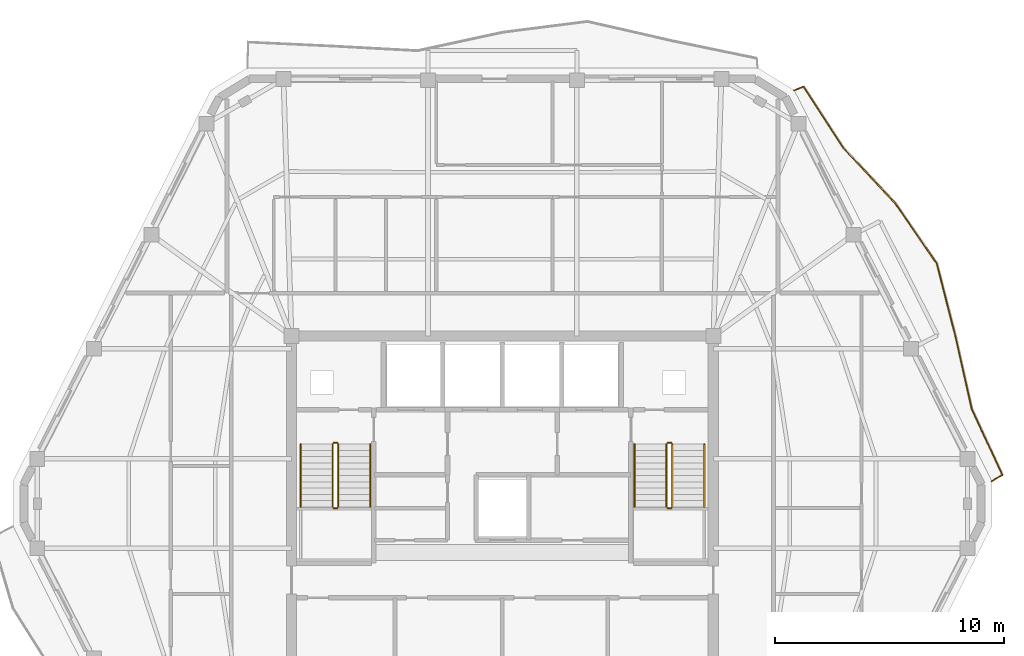
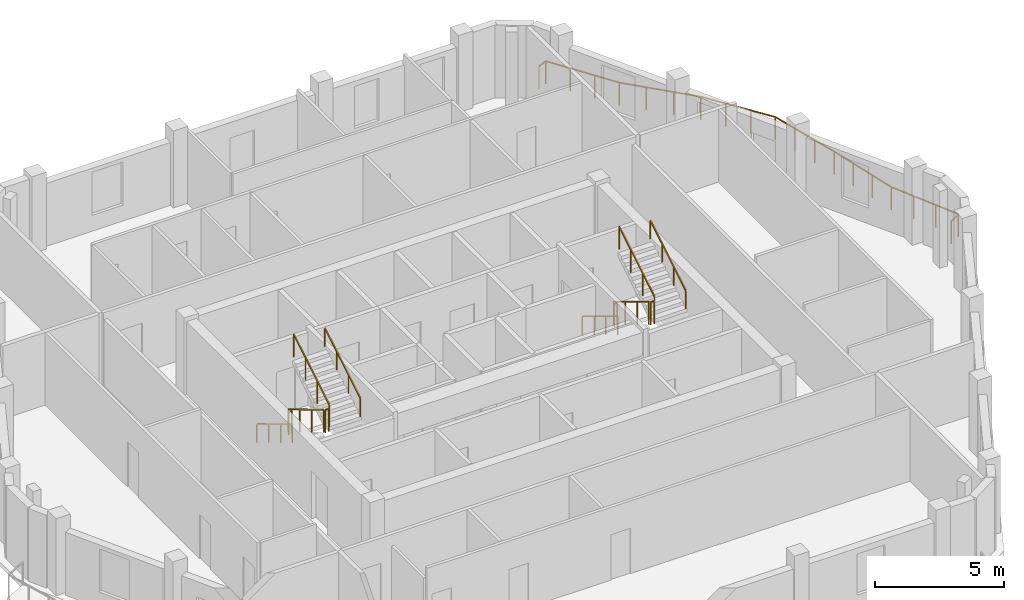
# One storey, part 9 of 10: 13 railings.
"""IFC4 building model written with IfcOpenShell, lengths in metres."""

from ifc_helpers import new_model, si_unit, direction, frame, origin, origin_2d, place, context, subcontext, project, spatial, rectangle, extrude, material, type_object, element, save


model = new_model("IFC4")

# Units and contexts
model_context = context("Model", 3, precision=1e-05, world=origin(), true_north=direction((0.0, 1.0)))
body_context = subcontext(model_context, "Body", "Model", "MODEL_VIEW")
ifc_project = project(units=[si_unit("LENGTHUNIT", "METRE"), si_unit("AREAUNIT", "SQUARE_METRE"), si_unit("VOLUMEUNIT", "CUBIC_METRE"), si_unit("PLANEANGLEUNIT", "RADIAN"), si_unit("MASSUNIT", "GRAM", prefix="KILO")], contexts=[model_context])

# Site, building, storey
site_placement = place(None, origin())
site = spatial("IfcSite", under=ifc_project, at=site_placement, CompositionType="ELEMENT")
building_placement = place(site_placement, origin())
building = spatial("IfcBuilding", under=site, at=building_placement, Name="Cinnabar Lancet Tower", CompositionType="ELEMENT")
storey_placement = place(building_placement, frame((0.0, 0.0, 267.14990234375)))
storey = spatial("IfcBuildingStorey", under=building, at=storey_placement, Name="L71", CompositionType="ELEMENT", Elevation=267.14990234375)

# Railings
ifc_material_1 = material(Name="Laminated safety glass and bronze stainless steel balustrade", Category="steel")
railing_type_1 = type_object("IfcRailingType", Name="ENV-RLG-BAL-1100", PredefinedType="BALUSTRADE", material=ifc_material_1)
railing_1_placement = place(storey_placement, frame((53.802978515625, 26.781982421875, 0.0)))
element("IfcRailing", 1, at=railing_1_placement, inside=storey, type_object=railing_type_1, Name="L71 Face 3 Wave Balcony Balustrade", PredefinedType="BALUSTRADE", context=body_context, shape_type="SweptSolid", body=[
    extrude(rectangle(XDim=0.048095703125, YDim=0.048095703125, at=origin_2d()), frame((0.0, 0.0, 1.076171875), z_axis=(0.866906303058, 0.498471124258, 0.0), x_axis=(-0.498471124258, 0.866906303058, 0.0)), (0.0, 0.0, 1.0), 0.529541015625),
    extrude(rectangle(XDim=0.048095703125, YDim=0.048095703125, at=origin_2d()), frame((0.458984375, 0.263916015625, 1.076171875), z_axis=(-0.420944533295, 0.907086379508, 0.0), x_axis=(-0.907086379508, -0.420944533295, 0.0)), (0.0, 0.0, 1.0), 3.182861328125),
    extrude(rectangle(XDim=0.048095703125, YDim=0.048095703125, at=origin_2d()), frame((-0.880859375, 3.151123046875, 1.076171875), z_axis=(-0.219230634445, 0.975673064567, 0.0), x_axis=(-0.975673064567, -0.219230634445, 0.0)), (0.0, 0.0, 1.0), 3.28076171875),
    extrude(rectangle(XDim=0.048095703125, YDim=0.048095703125, at=origin_2d()), frame((-1.60009765625, 6.35205078125, 1.076171875), z_axis=(-0.248333871453, 0.968674500691, 0.0), x_axis=(-0.968674500691, -0.248333871453, 0.0)), (0.0, 0.0, 1.0), 3.257080078125),
    extrude(rectangle(XDim=0.048095703125, YDim=0.048095703125, at=origin_2d()), frame((-2.408935546875, 9.507080078125, 1.076171875), z_axis=(-0.567603206786, 0.823302252909, 0.0), x_axis=(-0.823302252909, -0.567603206786, 0.0)), (0.0, 0.0, 1.0), 3.2099609375),
    extrude(rectangle(XDim=0.048095703125, YDim=0.048095703125, at=origin_2d()), frame((-4.23095703125, 12.14990234375, 1.076171875), z_axis=(-0.684090596793, 0.729397049198, 0.0), x_axis=(-0.729397049198, -0.684090596793, 0.0)), (0.0, 0.0, 1.0), 3.31396484375),
    extrude(rectangle(XDim=0.048095703125, YDim=0.048095703125, at=origin_2d()), frame((-6.498046875, 14.567138671875, 1.076171875), z_axis=(-0.543934246288, 0.839127842296, 0.0), x_axis=(-0.839127842296, -0.543934246288, 0.0)), (0.0, 0.0, 1.0), 3.20068359375),
    extrude(rectangle(XDim=0.048095703125, YDim=0.048095703125, at=origin_2d()), frame((-8.239013671875, 17.2529296875, 1.076171875), z_axis=(-0.923853136968, -0.382747150628, 0.0), x_axis=(0.382747150628, -0.923853136968, 0.0)), (0.0, 0.0, 1.0), 0.436279296875),
    extrude(rectangle(XDim=0.0419921875, YDim=0.0419921875, at=origin_2d()), origin(), (0.0, 0.0, 1.0), 1.052001953125),
    extrude(rectangle(XDim=0.0419921875, YDim=0.0419921875, at=origin_2d()), frame((0.458984375, 0.263916015625, 0.0)), (0.0, 0.0, 1.0), 1.052001953125),
    extrude(rectangle(XDim=0.0419921875, YDim=0.0419921875, at=origin_2d()), frame((0.012451171875, 1.226318359375, 0.0)), (0.0, 0.0, 1.0), 1.052001953125),
    extrude(rectangle(XDim=0.0419921875, YDim=0.0419921875, at=origin_2d()), frame((-0.434326171875, 2.188720703125, 0.0)), (0.0, 0.0, 1.0), 1.052001953125),
    extrude(rectangle(XDim=0.0419921875, YDim=0.0419921875, at=origin_2d()), frame((-0.880859375, 3.151123046875, 0.0)), (0.0, 0.0, 1.0), 1.052001953125),
    extrude(rectangle(XDim=0.0419921875, YDim=0.0419921875, at=origin_2d()), frame((-1.12060546875, 4.218017578125, 0.0)), (0.0, 0.0, 1.0), 1.052001953125),
    extrude(rectangle(XDim=0.0419921875, YDim=0.0419921875, at=origin_2d()), frame((-1.3603515625, 5.28515625, 0.0)), (0.0, 0.0, 1.0), 1.052001953125),
    extrude(rectangle(XDim=0.0419921875, YDim=0.0419921875, at=origin_2d()), frame((-1.60009765625, 6.35205078125, 0.0)), (0.0, 0.0, 1.0), 1.052001953125),
    extrude(rectangle(XDim=0.0419921875, YDim=0.0419921875, at=origin_2d()), frame((-1.86962890625, 7.40380859375, 0.0)), (0.0, 0.0, 1.0), 1.052001953125),
    extrude(rectangle(XDim=0.0419921875, YDim=0.0419921875, at=origin_2d()), frame((-2.139404296875, 8.455322265625, 0.0)), (0.0, 0.0, 1.0), 1.052001953125),
    extrude(rectangle(XDim=0.0419921875, YDim=0.0419921875, at=origin_2d()), frame((-2.408935546875, 9.507080078125, 0.0)), (0.0, 0.0, 1.0), 1.052001953125),
    extrude(rectangle(XDim=0.0419921875, YDim=0.0419921875, at=origin_2d()), frame((-3.016357421875, 10.387939453125, 0.0)), (0.0, 0.0, 1.0), 1.052001953125),
    extrude(rectangle(XDim=0.0419921875, YDim=0.0419921875, at=origin_2d()), frame((-3.62353515625, 11.26904296875, 0.0)), (0.0, 0.0, 1.0), 1.052001953125),
    extrude(rectangle(XDim=0.0419921875, YDim=0.0419921875, at=origin_2d()), frame((-4.23095703125, 12.14990234375, 0.0)), (0.0, 0.0, 1.0), 1.052001953125),
    extrude(rectangle(XDim=0.0419921875, YDim=0.0419921875, at=origin_2d()), frame((-4.986572265625, 12.95556640625, 0.0)), (0.0, 0.0, 1.0), 1.052001953125),
    extrude(rectangle(XDim=0.0419921875, YDim=0.0419921875, at=origin_2d()), frame((-5.742431640625, 13.761474609375, 0.0)), (0.0, 0.0, 1.0), 1.052001953125),
    extrude(rectangle(XDim=0.0419921875, YDim=0.0419921875, at=origin_2d()), frame((-6.498046875, 14.567138671875, 0.0)), (0.0, 0.0, 1.0), 1.052001953125),
    extrude(rectangle(XDim=0.0419921875, YDim=0.0419921875, at=origin_2d()), frame((-7.078369140625, 15.46240234375, 0.0)), (0.0, 0.0, 1.0), 1.052001953125),
    extrude(rectangle(XDim=0.0419921875, YDim=0.0419921875, at=origin_2d()), frame((-7.65869140625, 16.357666015625, 0.0)), (0.0, 0.0, 1.0), 1.052001953125),
    extrude(rectangle(XDim=0.0419921875, YDim=0.0419921875, at=origin_2d()), frame((-8.239013671875, 17.2529296875, 0.0)), (0.0, 0.0, 1.0), 1.052001953125),
    extrude(rectangle(XDim=0.0419921875, YDim=0.0419921875, at=origin_2d()), frame((-8.64208984375, 17.0859375, 0.0)), (0.0, 0.0, 1.0), 1.052001953125),
])
ifc_material_2 = material(Name="Painted galvanized steel balustrade", Category="steel")
railing_type_2 = type_object("IfcRailingType", Name="GUARD-STAIR", PredefinedType="GUARDRAIL", material=ifc_material_2)
railing_2_placement = place(storey_placement, frame((24.97509765625, 28.39990234375, 0.166015625)))
element("IfcRailing", 2, at=railing_2_placement, inside=storey, type_object=railing_type_2, Name="L71 ST-1 stair guard 1", PredefinedType="GUARDRAIL", context=body_context, shape_type="SweptSolid", body=[
    extrude(rectangle(XDim=0.048095703125, YDim=0.048095703125, at=origin_2d()), frame((0.0, 0.0, 1.076171875), z_axis=(0.0, -0.856229400918, 0.51659579267), x_axis=(1.0, 0.0, 0.0)), (0.0, 0.0, 1.0), 3.211669921875),
    extrude(rectangle(XDim=0.0419921875, YDim=0.0419921875, at=origin_2d()), origin(), (0.0, 0.0, 1.0), 1.052001953125),
    extrude(rectangle(XDim=0.0419921875, YDim=0.0419921875, at=origin_2d()), frame((0.0, -0.916748046875, 0.552978515625)), (0.0, 0.0, 1.0), 1.052001953125),
    extrude(rectangle(XDim=0.0419921875, YDim=0.0419921875, at=origin_2d()), frame((0.0, -1.833251953125, 1.106201171875)), (0.0, 0.0, 1.0), 1.052001953125),
    extrude(rectangle(XDim=0.0419921875, YDim=0.0419921875, at=origin_2d()), frame((0.0, -2.75, 1.6591796875)), (0.0, 0.0, 1.0), 1.052001953125),
])
railing_3_placement = place(storey_placement, frame((25.02490234375, 25.60009765625, 1.8251953125)))
element("IfcRailing", 3, at=railing_3_placement, inside=storey, type_object=railing_type_2, Name="L71 ST-1 stair guard 2", PredefinedType="GUARDRAIL", context=body_context, shape_type="SweptSolid", body=[
    extrude(rectangle(XDim=0.048095703125, YDim=0.048095703125, at=origin_2d()), frame((0.0, 0.0, 1.076171875), z_axis=(1.0, 0.0, 0.0), x_axis=(0.0, 1.0, 0.0)), (0.0, 0.0, 1.0), 0.150146484375),
    extrude(rectangle(XDim=0.0419921875, YDim=0.0419921875, at=origin_2d()), origin(), (0.0, 0.0, 1.0), 1.052001953125),
    extrude(rectangle(XDim=0.0419921875, YDim=0.0419921875, at=origin_2d()), frame((0.150146484375, 0.0, 0.0)), (0.0, 0.0, 1.0), 1.052001953125),
])
railing_4_placement = place(storey_placement, frame((25.22509765625, 25.64990234375, 1.990966796875)))
element("IfcRailing", 4, at=railing_4_placement, inside=storey, type_object=railing_type_2, Name="L71 ST-1 stair guard 3", PredefinedType="GUARDRAIL", context=body_context, shape_type="SweptSolid", body=[
    extrude(rectangle(XDim=0.048095703125, YDim=0.048095703125, at=origin_2d()), frame((0.0, 0.0, 1.076171875), z_axis=(0.0, 0.856229400918, 0.51659579267), x_axis=(-1.0, 0.0, 0.0)), (0.0, 0.0, 1.0), 3.211669921875),
    extrude(rectangle(XDim=0.0419921875, YDim=0.0419921875, at=origin_2d()), origin(), (0.0, 0.0, 1.0), 1.052001953125),
    extrude(rectangle(XDim=0.0419921875, YDim=0.0419921875, at=origin_2d()), frame((0.0, 0.916748046875, 0.552978515625)), (0.0, 0.0, 1.0), 1.052001953125),
    extrude(rectangle(XDim=0.0419921875, YDim=0.0419921875, at=origin_2d()), frame((0.0, 1.833251953125, 1.106201171875)), (0.0, 0.0, 1.0), 1.052001953125),
    extrude(rectangle(XDim=0.0419921875, YDim=0.0419921875, at=origin_2d()), frame((0.0, 2.75, 1.6591796875)), (0.0, 0.0, 1.0), 1.052001953125),
])
railing_5_placement = place(storey_placement, frame((25.02490234375, 28.449951171875, 0.0)))
element("IfcRailing", 5, at=railing_5_placement, inside=storey, type_object=railing_type_2, Name="L71 ST-1 stair guard 4", PredefinedType="GUARDRAIL", context=body_context, shape_type="SweptSolid", body=[
    extrude(rectangle(XDim=0.048095703125, YDim=0.048095703125, at=origin_2d()), frame((0.0, 0.0, 1.076171875), z_axis=(1.0, 0.0, 0.0), x_axis=(0.0, 1.0, 0.0)), (0.0, 0.0, 1.0), 0.150146484375),
    extrude(rectangle(XDim=0.0419921875, YDim=0.0419921875, at=origin_2d()), origin(), (0.0, 0.0, 1.0), 1.052001953125),
    extrude(rectangle(XDim=0.0419921875, YDim=0.0419921875, at=origin_2d()), frame((0.150146484375, 0.0, 0.0)), (0.0, 0.0, 1.0), 1.052001953125),
])
railing_6_placement = place(storey_placement, frame((39.574951171875, 28.39990234375, 0.166015625)))
element("IfcRailing", 6, at=railing_6_placement, inside=storey, type_object=railing_type_2, Name="L71 ST-2 stair guard 1", PredefinedType="GUARDRAIL", context=body_context, shape_type="SweptSolid", body=[
    extrude(rectangle(XDim=0.048095703125, YDim=0.048095703125, at=origin_2d()), frame((0.0, 0.0, 1.076171875), z_axis=(0.0, -0.856229400918, 0.51659579267), x_axis=(1.0, 0.0, 0.0)), (0.0, 0.0, 1.0), 3.211669921875),
    extrude(rectangle(XDim=0.0419921875, YDim=0.0419921875, at=origin_2d()), origin(), (0.0, 0.0, 1.0), 1.052001953125),
    extrude(rectangle(XDim=0.0419921875, YDim=0.0419921875, at=origin_2d()), frame((0.0, -0.916748046875, 0.552978515625)), (0.0, 0.0, 1.0), 1.052001953125),
    extrude(rectangle(XDim=0.0419921875, YDim=0.0419921875, at=origin_2d()), frame((0.0, -1.833251953125, 1.106201171875)), (0.0, 0.0, 1.0), 1.052001953125),
    extrude(rectangle(XDim=0.0419921875, YDim=0.0419921875, at=origin_2d()), frame((0.0, -2.75, 1.6591796875)), (0.0, 0.0, 1.0), 1.052001953125),
])
railing_7_placement = place(storey_placement, frame((39.625, 25.60009765625, 1.8251953125)))
element("IfcRailing", 7, at=railing_7_placement, inside=storey, type_object=railing_type_2, Name="L71 ST-2 stair guard 2", PredefinedType="GUARDRAIL", context=body_context, shape_type="SweptSolid", body=[
    extrude(rectangle(XDim=0.048095703125, YDim=0.048095703125, at=origin_2d()), frame((0.0, 0.0, 1.076171875), z_axis=(1.0, 0.0, 0.0), x_axis=(0.0, 1.0, 0.0)), (0.0, 0.0, 1.0), 0.14990234375),
    extrude(rectangle(XDim=0.0419921875, YDim=0.0419921875, at=origin_2d()), origin(), (0.0, 0.0, 1.0), 1.052001953125),
    extrude(rectangle(XDim=0.0419921875, YDim=0.0419921875, at=origin_2d()), frame((0.14990234375, 0.0, 0.0)), (0.0, 0.0, 1.0), 1.052001953125),
])
railing_8_placement = place(storey_placement, frame((39.824951171875, 25.64990234375, 1.990966796875)))
element("IfcRailing", 8, at=railing_8_placement, inside=storey, type_object=railing_type_2, Name="L71 ST-2 stair guard 3", PredefinedType="GUARDRAIL", context=body_context, shape_type="SweptSolid", body=[
    extrude(rectangle(XDim=0.048095703125, YDim=0.048095703125, at=origin_2d()), frame((0.0, 0.0, 1.076171875), z_axis=(0.0, 0.856229400918, 0.51659579267), x_axis=(-1.0, 0.0, 0.0)), (0.0, 0.0, 1.0), 3.211669921875),
    extrude(rectangle(XDim=0.0419921875, YDim=0.0419921875, at=origin_2d()), origin(), (0.0, 0.0, 1.0), 1.052001953125),
    extrude(rectangle(XDim=0.0419921875, YDim=0.0419921875, at=origin_2d()), frame((0.0, 0.916748046875, 0.552978515625)), (0.0, 0.0, 1.0), 1.052001953125),
    extrude(rectangle(XDim=0.0419921875, YDim=0.0419921875, at=origin_2d()), frame((0.0, 1.833251953125, 1.106201171875)), (0.0, 0.0, 1.0), 1.052001953125),
    extrude(rectangle(XDim=0.0419921875, YDim=0.0419921875, at=origin_2d()), frame((0.0, 2.75, 1.6591796875)), (0.0, 0.0, 1.0), 1.052001953125),
])
railing_9_placement = place(storey_placement, frame((39.625, 28.449951171875, 0.0)))
element("IfcRailing", 9, at=railing_9_placement, inside=storey, type_object=railing_type_2, Name="L71 ST-2 stair guard 4", PredefinedType="GUARDRAIL", context=body_context, shape_type="SweptSolid", body=[
    extrude(rectangle(XDim=0.048095703125, YDim=0.048095703125, at=origin_2d()), frame((0.0, 0.0, 1.076171875), z_axis=(1.0, 0.0, 0.0), x_axis=(0.0, 1.0, 0.0)), (0.0, 0.0, 1.0), 0.14990234375),
    extrude(rectangle(XDim=0.0419921875, YDim=0.0419921875, at=origin_2d()), origin(), (0.0, 0.0, 1.0), 1.052001953125),
    extrude(rectangle(XDim=0.0419921875, YDim=0.0419921875, at=origin_2d()), frame((0.14990234375, 0.0, 0.0)), (0.0, 0.0, 1.0), 1.052001953125),
])
ifc_material_3 = material(Name="Brushed stainless steel handrail", Category="steel")
railing_type_3 = type_object("IfcRailingType", Name="HANDRAIL-STAIR", PredefinedType="HANDRAIL", material=ifc_material_3)
railing_10_placement = place(storey_placement, frame((23.574951171875, 28.39990234375, 0.166015625)))
element("IfcRailing", 10, at=railing_10_placement, inside=storey, type_object=railing_type_3, Name="L71 ST-1 stair handrail 1", PredefinedType="HANDRAIL", context=body_context, shape_type="SweptSolid", body=[
    extrude(rectangle(XDim=0.048095703125, YDim=0.048095703125, at=origin_2d()), frame((0.0, 0.0, 0.8759765625), z_axis=(0.0, -0.856229400918, 0.51659579267), x_axis=(1.0, 0.0, 0.0)), (0.0, 0.0, 1.0), 3.211669921875),
    extrude(rectangle(XDim=0.0419921875, YDim=0.0419921875, at=origin_2d()), origin(), (0.0, 0.0, 1.0), 0.851806640625),
    extrude(rectangle(XDim=0.0419921875, YDim=0.0419921875, at=origin_2d()), frame((0.0, -0.916748046875, 0.552978515625)), (0.0, 0.0, 1.0), 0.851806640625),
    extrude(rectangle(XDim=0.0419921875, YDim=0.0419921875, at=origin_2d()), frame((0.0, -1.833251953125, 1.106201171875)), (0.0, 0.0, 1.0), 0.851806640625),
    extrude(rectangle(XDim=0.0419921875, YDim=0.0419921875, at=origin_2d()), frame((0.0, -2.75, 1.6591796875)), (0.0, 0.0, 1.0), 0.851806640625),
])
railing_11_placement = place(storey_placement, frame((26.625, 25.64990234375, 1.990966796875)))
element("IfcRailing", 11, at=railing_11_placement, inside=storey, type_object=railing_type_3, Name="L71 ST-1 stair handrail 2", PredefinedType="HANDRAIL", context=body_context, shape_type="SweptSolid", body=[
    extrude(rectangle(XDim=0.048095703125, YDim=0.048095703125, at=origin_2d()), frame((0.0, 0.0, 0.8759765625), z_axis=(0.0, 0.856229400918, 0.51659579267), x_axis=(-1.0, 0.0, 0.0)), (0.0, 0.0, 1.0), 3.211669921875),
    extrude(rectangle(XDim=0.0419921875, YDim=0.0419921875, at=origin_2d()), origin(), (0.0, 0.0, 1.0), 0.851806640625),
    extrude(rectangle(XDim=0.0419921875, YDim=0.0419921875, at=origin_2d()), frame((0.0, 0.916748046875, 0.552978515625)), (0.0, 0.0, 1.0), 0.851806640625),
    extrude(rectangle(XDim=0.0419921875, YDim=0.0419921875, at=origin_2d()), frame((0.0, 1.833251953125, 1.106201171875)), (0.0, 0.0, 1.0), 0.851806640625),
    extrude(rectangle(XDim=0.0419921875, YDim=0.0419921875, at=origin_2d()), frame((0.0, 2.75, 1.6591796875)), (0.0, 0.0, 1.0), 0.851806640625),
])
railing_12_placement = place(storey_placement, frame((38.175048828125, 28.39990234375, 0.166015625)))
element("IfcRailing", 12, at=railing_12_placement, inside=storey, type_object=railing_type_3, Name="L71 ST-2 stair handrail 1", PredefinedType="HANDRAIL", context=body_context, shape_type="SweptSolid", body=[
    extrude(rectangle(XDim=0.048095703125, YDim=0.048095703125, at=origin_2d()), frame((0.0, 0.0, 0.8759765625), z_axis=(0.0, -0.856229400918, 0.51659579267), x_axis=(1.0, 0.0, 0.0)), (0.0, 0.0, 1.0), 3.211669921875),
    extrude(rectangle(XDim=0.0419921875, YDim=0.0419921875, at=origin_2d()), origin(), (0.0, 0.0, 1.0), 0.851806640625),
    extrude(rectangle(XDim=0.0419921875, YDim=0.0419921875, at=origin_2d()), frame((0.0, -0.916748046875, 0.552978515625)), (0.0, 0.0, 1.0), 0.851806640625),
    extrude(rectangle(XDim=0.0419921875, YDim=0.0419921875, at=origin_2d()), frame((0.0, -1.833251953125, 1.106201171875)), (0.0, 0.0, 1.0), 0.851806640625),
    extrude(rectangle(XDim=0.0419921875, YDim=0.0419921875, at=origin_2d()), frame((0.0, -2.75, 1.6591796875)), (0.0, 0.0, 1.0), 0.851806640625),
])
railing_13_placement = place(storey_placement, frame((41.22509765625, 25.64990234375, 1.990966796875)))
element("IfcRailing", 13, at=railing_13_placement, inside=storey, type_object=railing_type_3, Name="L71 ST-2 stair handrail 2", PredefinedType="HANDRAIL", context=body_context, shape_type="SweptSolid", body=[
    extrude(rectangle(XDim=0.048095703125, YDim=0.048095703125, at=origin_2d()), frame((0.0, 0.0, 0.8759765625), z_axis=(0.0, 0.856229400918, 0.51659579267), x_axis=(-1.0, 0.0, 0.0)), (0.0, 0.0, 1.0), 3.211669921875),
    extrude(rectangle(XDim=0.0419921875, YDim=0.0419921875, at=origin_2d()), origin(), (0.0, 0.0, 1.0), 0.851806640625),
    extrude(rectangle(XDim=0.0419921875, YDim=0.0419921875, at=origin_2d()), frame((0.0, 0.916748046875, 0.552978515625)), (0.0, 0.0, 1.0), 0.851806640625),
    extrude(rectangle(XDim=0.0419921875, YDim=0.0419921875, at=origin_2d()), frame((0.0, 1.833251953125, 1.106201171875)), (0.0, 0.0, 1.0), 0.851806640625),
    extrude(rectangle(XDim=0.0419921875, YDim=0.0419921875, at=origin_2d()), frame((0.0, 2.75, 1.6591796875)), (0.0, 0.0, 1.0), 0.851806640625),
])

save(model, "model.ifc")
